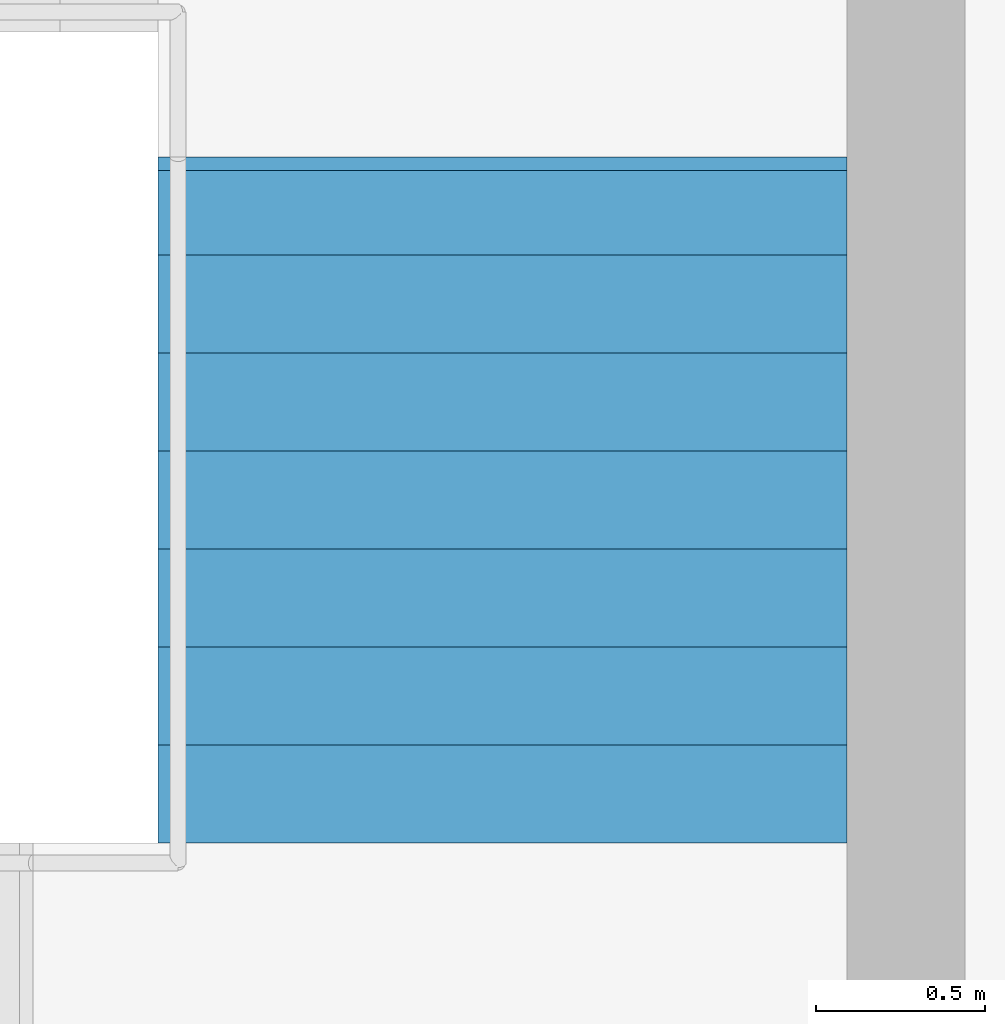
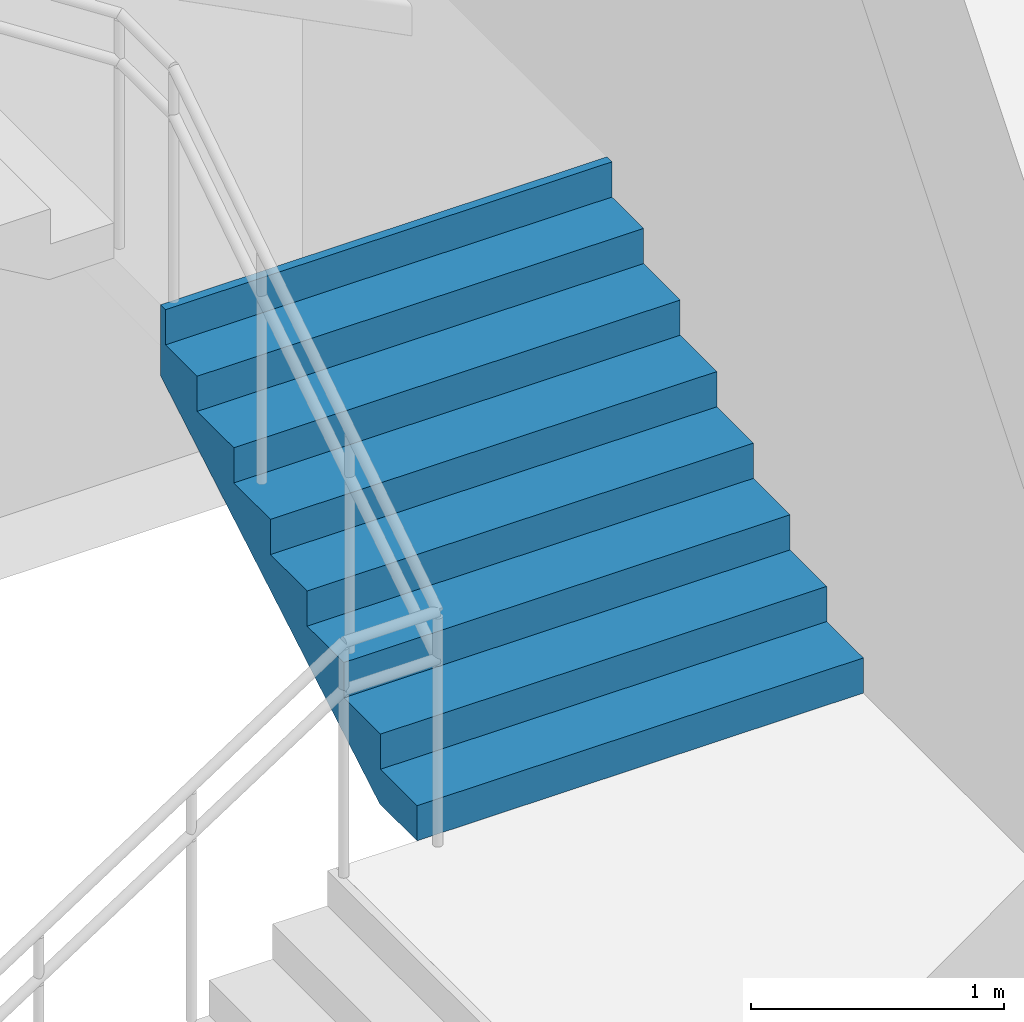
# One storey, part 40 of 50: 1 stair flight, 1 element without a shape of its own.
"""IFC4 building model written with IfcOpenShell, lengths in metres."""

from ifc_helpers import new_model, si_unit, direction, frame, origin, place, context, subcontext, project, spatial, triangles, material, type_object, element, aggregate, save


model = new_model("IFC4")

# Units and contexts
model_context = context("Model", 3, precision=1e-05, world=origin(), true_north=direction((0.0, 1.0)))
body_context = subcontext(model_context, "Body", "Model", "MODEL_VIEW")
ifc_project = project(units=[si_unit("LENGTHUNIT", "METRE"), si_unit("AREAUNIT", "SQUARE_METRE"), si_unit("VOLUMEUNIT", "CUBIC_METRE"), si_unit("PLANEANGLEUNIT", "RADIAN"), si_unit("MASSUNIT", "GRAM", prefix="KILO")], contexts=[model_context])

# Site, building, storey
site_placement = place(None, origin())
site = spatial("IfcSite", under=ifc_project, at=site_placement, CompositionType="ELEMENT")
building_placement = place(site_placement, origin())
building = spatial("IfcBuilding", under=site, at=building_placement, Name="Sillaruma Civic Art Gallery", CompositionType="ELEMENT")
storey_placement = place(building_placement, origin())
storey = spatial("IfcBuildingStorey", under=building, at=storey_placement, Name="L00", CompositionType="ELEMENT", Elevation=0.0)

# Stair, stair flight
ifc_material = material(Name="Concrete H35 (35 MPa)", Category="concrete")
stair_type = type_object("IfcStairType", Name="STR-4F-32", PredefinedType="USERDEFINED", material=ifc_material)
stair_placement = place(storey_placement, origin())
stair = element("IfcStair", 1, at=stair_placement, inside=storey, type_object=stair_type, Name="Protected Exit Stair ST-02 (West Bar North) (L00)", ObjectType="THREE_RETURN_STAIR", PredefinedType="USERDEFINED")
stair_flight_type = type_object("IfcStairFlightType", Name="SFL-STR-8", PredefinedType="STRAIGHT", material=ifc_material)
stair_flight_placement = place(storey_placement, frame((68.219970703125, 82.949951171875, 1.360107421875), z_axis=(0.0, 0.0, 1.0), x_axis=(0.0, 1.0, 0.0)))
stair_flight = element("IfcStairFlight", 2, at=stair_flight_placement, type_object=stair_flight_type, Name="ST-02 flight 2", NumberOfRisers=8, NumberOfTreads=7, PredefinedType="STRAIGHT", RiserHeight=0.17, TreadLength=0.29, context=body_context, shape_type="Tessellation", body=[
    triangles([(0.0, -1.02001953125, 0.0), (0.29, -1.02001953125, 0.0), (0.296443, -1.02001953125, 0.0), (0.58, -1.02001953125, 0.166223), (0.87, -1.02001953125, 0.336223), (1.16, -1.02001953125, 0.506223), (1.45, -1.02001953125, 0.676223), (1.74, -1.02001953125, 0.846223), (1.990029, -1.02001953125, 0.992792), (2.030029, -1.02001953125, 1.01624), (2.030029, -1.02001953125, 1.36), (1.990029, -1.02001953125, 1.36), (1.990029, -1.02001953125, 1.19), (1.74, -1.02001953125, 1.19), (1.74, -1.02001953125, 1.02), (1.45, -1.02001953125, 1.02), (1.45, -1.02001953125, 0.85), (1.16, -1.02001953125, 0.85), (1.16, -1.02001953125, 0.68), (0.87, -1.02001953125, 0.68), (0.87, -1.02001953125, 0.51), (0.58, -1.02001953125, 0.51), (0.58, -1.02001953125, 0.34), (0.296443, -1.02001953125, 0.34), (0.29, -1.02001953125, 0.34), (0.29, -1.02001953125, 0.17), (0.0, -1.02001953125, 0.17), (0.0, -0.05, 0.0), (0.29, -0.05, 0.0), (0.296443, -0.05, 0.0), (0.58, -0.05, 0.166223), (0.87, -0.05, 0.336223), (1.16, -0.05, 0.506223), (1.45, -0.05, 0.676223), (1.74, -0.05, 0.846223), (1.990029, -0.05, 0.992792), (2.030029, -0.05, 1.01624), (2.030029, -0.05, 1.36), (1.990029, -0.05, 1.36), (1.990029, -0.05, 1.19), (1.74, -0.05, 1.19), (1.74, -0.05, 1.02), (1.45, -0.05, 1.02), (1.45, -0.05, 0.85), (1.16, -0.05, 0.85), (1.16, -0.05, 0.68), (0.87, -0.05, 0.68), (0.87, -0.05, 0.51), (0.58, -0.05, 0.51), (0.58, -0.05, 0.34), (0.296443, -0.05, 0.34), (0.29, -0.05, 0.34), (0.29, -0.05, 0.17), (0.0, -0.05, 0.17), (0.0, -0.0375, 0.0), (0.29, -0.0375, 0.0), (0.296443, -0.0375, 0.0), (0.58, -0.0375, 0.166223), (0.87, -0.0375, 0.336223), (1.16, -0.0375, 0.506223), (1.45, -0.0375, 0.676223), (1.74, -0.0375, 0.846223), (1.990029, -0.0375, 0.992792), (2.030029, -0.0375, 1.01624), (2.030029, -0.0375, 1.36), (1.990029, -0.0375, 1.36), (1.990029, -0.0375, 1.19), (1.74, -0.0375, 1.19), (1.74, -0.0375, 1.02), (1.45, -0.0375, 1.02), (1.45, -0.0375, 0.85), (1.16, -0.0375, 0.85), (1.16, -0.0375, 0.68), (0.87, -0.0375, 0.68), (0.87, -0.0375, 0.51), (0.58, -0.0375, 0.51), (0.58, -0.0375, 0.34), (0.296443, -0.0375, 0.34), (0.29, -0.0375, 0.34), (0.29, -0.0375, 0.17), (0.0, -0.0375, 0.17), (0.0, -0.025, 0.0), (0.29, -0.025, 0.0), (0.296443, -0.025, 0.0), (0.58, -0.025, 0.166223), (0.87, -0.025, 0.336223), (1.16, -0.025, 0.506223), (1.45, -0.025, 0.676223), (1.74, -0.025, 0.846223), (1.990029, -0.025, 0.992792), (2.030029, -0.025, 1.01624), (2.030029, -0.025, 1.36), (1.990029, -0.025, 1.36), (1.990029, -0.025, 1.19), (1.74, -0.025, 1.19), (1.74, -0.025, 1.02), (1.45, -0.025, 1.02), (1.45, -0.025, 0.85), (1.16, -0.025, 0.85), (1.16, -0.025, 0.68), (0.87, -0.025, 0.68), (0.87, -0.025, 0.51), (0.58, -0.025, 0.51), (0.58, -0.025, 0.34), (0.296443, -0.025, 0.34), (0.29, -0.025, 0.34), (0.29, -0.025, 0.17), (0.0, -0.025, 0.17), (0.0, -0.0125, 0.0), (0.29, -0.0125, 0.0), (0.296443, -0.0125, 0.0), (0.58, -0.0125, 0.166223), (0.87, -0.0125, 0.336223), (1.16, -0.0125, 0.506223), (1.45, -0.0125, 0.676223), (1.74, -0.0125, 0.846223), (1.990029, -0.0125, 0.992792), (2.030029, -0.0125, 1.01624), (2.030029, -0.0125, 1.36), (1.990029, -0.0125, 1.36), (1.990029, -0.0125, 1.19), (1.74, -0.0125, 1.19), (1.74, -0.0125, 1.02), (1.45, -0.0125, 1.02), (1.45, -0.0125, 0.85), (1.16, -0.0125, 0.85), (1.16, -0.0125, 0.68), (0.87, -0.0125, 0.68), (0.87, -0.0125, 0.51), (0.58, -0.0125, 0.51), (0.58, -0.0125, 0.34), (0.296443, -0.0125, 0.34), (0.29, -0.0125, 0.34), (0.29, -0.0125, 0.17), (0.0, -0.0125, 0.17), (0.0, 0.0, 0.0), (0.29, 0.0, 0.0), (0.296443, 0.0, 0.0), (0.58, 0.0, 0.166223), (0.87, 0.0, 0.336223), (1.16, 0.0, 0.506223), (1.45, 0.0, 0.676223), (1.74, 0.0, 0.846223), (1.990029, 0.0, 0.992792), (2.030029, 0.0, 1.01624), (2.030029, 0.0, 1.36), (1.990029, 0.0, 1.36), (1.990029, 0.0, 1.19), (1.74, 0.0, 1.19), (1.74, 0.0, 1.02), (1.45, 0.0, 1.02), (1.45, 0.0, 0.85), (1.16, 0.0, 0.85), (1.16, 0.0, 0.68), (0.87, 0.0, 0.68), (0.87, 0.0, 0.51), (0.58, 0.0, 0.51), (0.58, 0.0, 0.34), (0.296443, 0.0, 0.34), (0.29, 0.0, 0.34), (0.29, 0.0, 0.17), (0.0, 0.0, 0.17), (0.0, 0.0125, 0.0), (0.29, 0.0125, 0.0), (0.296443, 0.0125, 0.0), (0.58, 0.0125, 0.166223), (0.87, 0.0125, 0.336223), (1.16, 0.0125, 0.506223), (1.45, 0.0125, 0.676223), (1.74, 0.0125, 0.846223), (1.990029, 0.0125, 0.992792), (2.030029, 0.0125, 1.01624), (2.030029, 0.0125, 1.36), (1.990029, 0.0125, 1.36), (1.990029, 0.0125, 1.19), (1.74, 0.0125, 1.19), (1.74, 0.0125, 1.02), (1.45, 0.0125, 1.02), (1.45, 0.0125, 0.85), (1.16, 0.0125, 0.85), (1.16, 0.0125, 0.68), (0.87, 0.0125, 0.68), (0.87, 0.0125, 0.51), (0.58, 0.0125, 0.51), (0.58, 0.0125, 0.34), (0.296443, 0.0125, 0.34), (0.29, 0.0125, 0.34), (0.29, 0.0125, 0.17), (0.0, 0.0125, 0.17), (0.0, 0.025, 0.0), (0.29, 0.025, 0.0), (0.296443, 0.025, 0.0), (0.58, 0.025, 0.166223), (0.87, 0.025, 0.336223), (1.16, 0.025, 0.506223), (1.45, 0.025, 0.676223), (1.74, 0.025, 0.846223), (1.990029, 0.025, 0.992792), (2.030029, 0.025, 1.01624), (2.030029, 0.025, 1.36), (1.990029, 0.025, 1.36), (1.990029, 0.025, 1.19), (1.74, 0.025, 1.19), (1.74, 0.025, 1.02), (1.45, 0.025, 1.02), (1.45, 0.025, 0.85), (1.16, 0.025, 0.85), (1.16, 0.025, 0.68), (0.87, 0.025, 0.68), (0.87, 0.025, 0.51), (0.58, 0.025, 0.51), (0.58, 0.025, 0.34), (0.296443, 0.025, 0.34), (0.29, 0.025, 0.34), (0.29, 0.025, 0.17), (0.0, 0.025, 0.17), (0.0, 0.0375, 0.0), (0.29, 0.0375, 0.0), (0.296443, 0.0375, 0.0), (0.58, 0.0375, 0.166223), (0.87, 0.0375, 0.336223), (1.16, 0.0375, 0.506223), (1.45, 0.0375, 0.676223), (1.74, 0.0375, 0.846223), (1.990029, 0.0375, 0.992792), (2.030029, 0.0375, 1.01624), (2.030029, 0.0375, 1.36), (1.990029, 0.0375, 1.36), (1.990029, 0.0375, 1.19), (1.74, 0.0375, 1.19), (1.74, 0.0375, 1.02), (1.45, 0.0375, 1.02), (1.45, 0.0375, 0.85), (1.16, 0.0375, 0.85), (1.16, 0.0375, 0.68), (0.87, 0.0375, 0.68), (0.87, 0.0375, 0.51), (0.58, 0.0375, 0.51), (0.58, 0.0375, 0.34), (0.296443, 0.0375, 0.34), (0.29, 0.0375, 0.34), (0.29, 0.0375, 0.17), (0.0, 0.0375, 0.17), (0.0, 0.05, 0.0), (0.29, 0.05, 0.0), (0.296443, 0.05, 0.0), (0.58, 0.05, 0.166223), (0.87, 0.05, 0.336223), (1.16, 0.05, 0.506223), (1.45, 0.05, 0.676223), (1.74, 0.05, 0.846223), (1.990029, 0.05, 0.992792), (2.030029, 0.05, 1.01624), (2.030029, 0.05, 1.36), (1.990029, 0.05, 1.36), (1.990029, 0.05, 1.19), (1.74, 0.05, 1.19), (1.74, 0.05, 1.02), (1.45, 0.05, 1.02), (1.45, 0.05, 0.85), (1.16, 0.05, 0.85), (1.16, 0.05, 0.68), (0.87, 0.05, 0.68), (0.87, 0.05, 0.51), (0.58, 0.05, 0.51), (0.58, 0.05, 0.34), (0.296443, 0.05, 0.34), (0.29, 0.05, 0.34), (0.29, 0.05, 0.17), (0.0, 0.05, 0.17), (0.0, 1.02001953125, 0.0), (0.29, 1.02001953125, 0.0), (0.296443, 1.02001953125, 0.0), (0.58, 1.02001953125, 0.166223), (0.87, 1.02001953125, 0.336223), (1.16, 1.02001953125, 0.506223), (1.45, 1.02001953125, 0.676223), (1.74, 1.02001953125, 0.846223), (1.990029, 1.02001953125, 0.992792), (2.030029, 1.02001953125, 1.01624), (2.030029, 1.02001953125, 1.36), (1.990029, 1.02001953125, 1.36), (1.990029, 1.02001953125, 1.19), (1.74, 1.02001953125, 1.19), (1.74, 1.02001953125, 1.02), (1.45, 1.02001953125, 1.02), (1.45, 1.02001953125, 0.85), (1.16, 1.02001953125, 0.85), (1.16, 1.02001953125, 0.68), (0.87, 1.02001953125, 0.68), (0.87, 1.02001953125, 0.51), (0.58, 1.02001953125, 0.51), (0.58, 1.02001953125, 0.34), (0.296443, 1.02001953125, 0.34), (0.29, 1.02001953125, 0.34), (0.29, 1.02001953125, 0.17), (0.0, 1.02001953125, 0.17)], [[1, 2, 26], [1, 26, 27], [2, 3, 24], [2, 24, 26], [26, 24, 25], [3, 4, 23], [3, 23, 24], [4, 5, 21], [4, 21, 23], [23, 21, 22], [5, 6, 19], [5, 19, 21], [21, 19, 20], [6, 7, 17], [6, 17, 19], [19, 17, 18], [7, 8, 15], [7, 15, 17], [17, 15, 16], [8, 9, 13], [8, 13, 15], [15, 13, 14], [9, 10, 11], [9, 11, 13], [13, 11, 12], [296, 272, 271], [297, 296, 271], [294, 273, 272], [296, 294, 272], [295, 294, 296], [293, 274, 273], [294, 293, 273], [291, 275, 274], [293, 291, 274], [292, 291, 293], [289, 276, 275], [291, 289, 275], [290, 289, 291], [287, 277, 276], [289, 287, 276], [288, 287, 289], [285, 278, 277], [287, 285, 277], [286, 285, 287], [283, 279, 278], [285, 283, 278], [284, 283, 285], [281, 280, 279], [283, 281, 279], [282, 281, 283], [2, 1, 28], [2, 28, 29], [3, 2, 29], [3, 29, 30], [4, 3, 30], [4, 30, 31], [5, 4, 31], [5, 31, 32], [6, 5, 32], [6, 32, 33], [7, 6, 33], [7, 33, 34], [8, 7, 34], [8, 34, 35], [9, 8, 35], [9, 35, 36], [10, 9, 36], [10, 36, 37], [11, 10, 37], [11, 37, 38], [12, 11, 38], [12, 38, 39], [13, 12, 39], [13, 39, 40], [14, 13, 40], [14, 40, 41], [15, 14, 41], [15, 41, 42], [16, 15, 42], [16, 42, 43], [17, 16, 43], [17, 43, 44], [18, 17, 44], [18, 44, 45], [19, 18, 45], [19, 45, 46], [20, 19, 46], [20, 46, 47], [21, 20, 47], [21, 47, 48], [22, 21, 48], [22, 48, 49], [23, 22, 49], [23, 49, 50], [24, 23, 50], [24, 50, 51], [25, 24, 51], [25, 51, 52], [26, 25, 52], [26, 52, 53], [27, 26, 53], [27, 53, 54], [1, 27, 54], [1, 54, 28], [29, 28, 55], [29, 55, 56], [30, 29, 56], [30, 56, 57], [31, 30, 57], [31, 57, 58], [32, 31, 58], [32, 58, 59], [33, 32, 59], [33, 59, 60], [34, 33, 60], [34, 60, 61], [35, 34, 61], [35, 61, 62], [36, 35, 62], [36, 62, 63], [37, 36, 63], [37, 63, 64], [38, 37, 64], [38, 64, 65], [39, 38, 65], [39, 65, 66], [40, 39, 66], [40, 66, 67], [41, 40, 67], [41, 67, 68], [42, 41, 68], [42, 68, 69], [43, 42, 69], [43, 69, 70], [44, 43, 70], [44, 70, 71], [45, 44, 71], [45, 71, 72], [46, 45, 72], [46, 72, 73], [47, 46, 73], [47, 73, 74], [48, 47, 74], [48, 74, 75], [49, 48, 75], [49, 75, 76], [50, 49, 76], [50, 76, 77], [51, 50, 77], [51, 77, 78], [52, 51, 78], [52, 78, 79], [53, 52, 79], [53, 79, 80], [54, 53, 80], [54, 80, 81], [28, 54, 81], [28, 81, 55], [56, 55, 82], [56, 82, 83], [57, 56, 83], [57, 83, 84], [58, 57, 84], [58, 84, 85], [59, 58, 85], [59, 85, 86], [60, 59, 86], [60, 86, 87], [61, 60, 87], [61, 87, 88], [62, 61, 88], [62, 88, 89], [63, 62, 89], [63, 89, 90], [64, 63, 90], [64, 90, 91], [65, 64, 91], [65, 91, 92], [66, 65, 92], [66, 92, 93], [67, 66, 93], [67, 93, 94], [68, 67, 94], [68, 94, 95], [69, 68, 95], [69, 95, 96], [70, 69, 96], [70, 96, 97], [71, 70, 97], [71, 97, 98], [72, 71, 98], [72, 98, 99], [73, 72, 99], [73, 99, 100], [74, 73, 100], [74, 100, 101], [75, 74, 101], [75, 101, 102], [76, 75, 102], [76, 102, 103], [77, 76, 103], [77, 103, 104], [78, 77, 104], [78, 104, 105], [79, 78, 105], [79, 105, 106], [80, 79, 106], [80, 106, 107], [81, 80, 107], [81, 107, 108], [55, 81, 108], [55, 108, 82], [83, 82, 109], [83, 109, 110], [84, 83, 110], [84, 110, 111], [85, 84, 111], [85, 111, 112], [86, 85, 112], [86, 112, 113], [87, 86, 113], [87, 113, 114], [88, 87, 114], [88, 114, 115], [89, 88, 115], [89, 115, 116], [90, 89, 116], [90, 116, 117], [91, 90, 117], [91, 117, 118], [92, 91, 118], [92, 118, 119], [93, 92, 119], [93, 119, 120], [94, 93, 120], [94, 120, 121], [95, 94, 121], [95, 121, 122], [96, 95, 122], [96, 122, 123], [97, 96, 123], [97, 123, 124], [98, 97, 124], [98, 124, 125], [99, 98, 125], [99, 125, 126], [100, 99, 126], [100, 126, 127], [101, 100, 127], [101, 127, 128], [102, 101, 128], [102, 128, 129], [103, 102, 129], [103, 129, 130], [104, 103, 130], [104, 130, 131], [105, 104, 131], [105, 131, 132], [106, 105, 132], [106, 132, 133], [107, 106, 133], [107, 133, 134], [108, 107, 134], [108, 134, 135], [82, 108, 135], [82, 135, 109], [110, 109, 136], [110, 136, 137], [111, 110, 137], [111, 137, 138], [112, 111, 138], [112, 138, 139], [113, 112, 139], [113, 139, 140], [114, 113, 140], [114, 140, 141], [115, 114, 141], [115, 141, 142], [116, 115, 142], [116, 142, 143], [117, 116, 143], [117, 143, 144], [118, 117, 144], [118, 144, 145], [119, 118, 145], [119, 145, 146], [120, 119, 146], [120, 146, 147], [121, 120, 147], [121, 147, 148], [122, 121, 148], [122, 148, 149], [123, 122, 149], [123, 149, 150], [124, 123, 150], [124, 150, 151], [125, 124, 151], [125, 151, 152], [126, 125, 152], [126, 152, 153], [127, 126, 153], [127, 153, 154], [128, 127, 154], [128, 154, 155], [129, 128, 155], [129, 155, 156], [130, 129, 156], [130, 156, 157], [131, 130, 157], [131, 157, 158], [132, 131, 158], [132, 158, 159], [133, 132, 159], [133, 159, 160], [134, 133, 160], [134, 160, 161], [135, 134, 161], [135, 161, 162], [109, 135, 162], [109, 162, 136], [137, 136, 163], [137, 163, 164], [138, 137, 164], [138, 164, 165], [139, 138, 165], [139, 165, 166], [140, 139, 166], [140, 166, 167], [141, 140, 167], [141, 167, 168], [142, 141, 168], [142, 168, 169], [143, 142, 169], [143, 169, 170], [144, 143, 170], [144, 170, 171], [145, 144, 171], [145, 171, 172], [146, 145, 172], [146, 172, 173], [147, 146, 173], [147, 173, 174], [148, 147, 174], [148, 174, 175], [149, 148, 175], [149, 175, 176], [150, 149, 176], [150, 176, 177], [151, 150, 177], [151, 177, 178], [152, 151, 178], [152, 178, 179], [153, 152, 179], [153, 179, 180], [154, 153, 180], [154, 180, 181], [155, 154, 181], [155, 181, 182], [156, 155, 182], [156, 182, 183], [157, 156, 183], [157, 183, 184], [158, 157, 184], [158, 184, 185], [159, 158, 185], [159, 185, 186], [160, 159, 186], [160, 186, 187], [161, 160, 187], [161, 187, 188], [162, 161, 188], [162, 188, 189], [136, 162, 189], [136, 189, 163], [164, 163, 190], [164, 190, 191], [165, 164, 191], [165, 191, 192], [166, 165, 192], [166, 192, 193], [167, 166, 193], [167, 193, 194], [168, 167, 194], [168, 194, 195], [169, 168, 195], [169, 195, 196], [170, 169, 196], [170, 196, 197], [171, 170, 197], [171, 197, 198], [172, 171, 198], [172, 198, 199], [173, 172, 199], [173, 199, 200], [174, 173, 200], [174, 200, 201], [175, 174, 201], [175, 201, 202], [176, 175, 202], [176, 202, 203], [177, 176, 203], [177, 203, 204], [178, 177, 204], [178, 204, 205], [179, 178, 205], [179, 205, 206], [180, 179, 206], [180, 206, 207], [181, 180, 207], [181, 207, 208], [182, 181, 208], [182, 208, 209], [183, 182, 209], [183, 209, 210], [184, 183, 210], [184, 210, 211], [185, 184, 211], [185, 211, 212], [186, 185, 212], [186, 212, 213], [187, 186, 213], [187, 213, 214], [188, 187, 214], [188, 214, 215], [189, 188, 215], [189, 215, 216], [163, 189, 216], [163, 216, 190], [191, 190, 217], [191, 217, 218], [192, 191, 218], [192, 218, 219], [193, 192, 219], [193, 219, 220], [194, 193, 220], [194, 220, 221], [195, 194, 221], [195, 221, 222], [196, 195, 222], [196, 222, 223], [197, 196, 223], [197, 223, 224], [198, 197, 224], [198, 224, 225], [199, 198, 225], [199, 225, 226], [200, 199, 226], [200, 226, 227], [201, 200, 227], [201, 227, 228], [202, 201, 228], [202, 228, 229], [203, 202, 229], [203, 229, 230], [204, 203, 230], [204, 230, 231], [205, 204, 231], [205, 231, 232], [206, 205, 232], [206, 232, 233], [207, 206, 233], [207, 233, 234], [208, 207, 234], [208, 234, 235], [209, 208, 235], [209, 235, 236], [210, 209, 236], [210, 236, 237], [211, 210, 237], [211, 237, 238], [212, 211, 238], [212, 238, 239], [213, 212, 239], [213, 239, 240], [214, 213, 240], [214, 240, 241], [215, 214, 241], [215, 241, 242], [216, 215, 242], [216, 242, 243], [190, 216, 243], [190, 243, 217], [218, 217, 244], [218, 244, 245], [219, 218, 245], [219, 245, 246], [220, 219, 246], [220, 246, 247], [221, 220, 247], [221, 247, 248], [222, 221, 248], [222, 248, 249], [223, 222, 249], [223, 249, 250], [224, 223, 250], [224, 250, 251], [225, 224, 251], [225, 251, 252], [226, 225, 252], [226, 252, 253], [227, 226, 253], [227, 253, 254], [228, 227, 254], [228, 254, 255], [229, 228, 255], [229, 255, 256], [230, 229, 256], [230, 256, 257], [231, 230, 257], [231, 257, 258], [232, 231, 258], [232, 258, 259], [233, 232, 259], [233, 259, 260], [234, 233, 260], [234, 260, 261], [235, 234, 261], [235, 261, 262], [236, 235, 262], [236, 262, 263], [237, 236, 263], [237, 263, 264], [238, 237, 264], [238, 264, 265], [239, 238, 265], [239, 265, 266], [240, 239, 266], [240, 266, 267], [241, 240, 267], [241, 267, 268], [242, 241, 268], [242, 268, 269], [243, 242, 269], [243, 269, 270], [217, 243, 270], [217, 270, 244], [245, 244, 271], [245, 271, 272], [246, 245, 272], [246, 272, 273], [247, 246, 273], [247, 273, 274], [248, 247, 274], [248, 274, 275], [249, 248, 275], [249, 275, 276], [250, 249, 276], [250, 276, 277], [251, 250, 277], [251, 277, 278], [252, 251, 278], [252, 278, 279], [253, 252, 279], [253, 279, 280], [254, 253, 280], [254, 280, 281], [255, 254, 281], [255, 281, 282], [256, 255, 282], [256, 282, 283], [257, 256, 283], [257, 283, 284], [258, 257, 284], [258, 284, 285], [259, 258, 285], [259, 285, 286], [260, 259, 286], [260, 286, 287], [261, 260, 287], [261, 287, 288], [262, 261, 288], [262, 288, 289], [263, 262, 289], [263, 289, 290], [264, 263, 290], [264, 290, 291], [265, 264, 291], [265, 291, 292], [266, 265, 292], [266, 292, 293], [267, 266, 293], [267, 293, 294], [268, 267, 294], [268, 294, 295], [269, 268, 295], [269, 295, 296], [270, 269, 296], [270, 296, 297], [244, 270, 297], [244, 297, 271]], closed=True),
])
aggregate(stair, [stair_flight])

save(model, "model.ifc")
